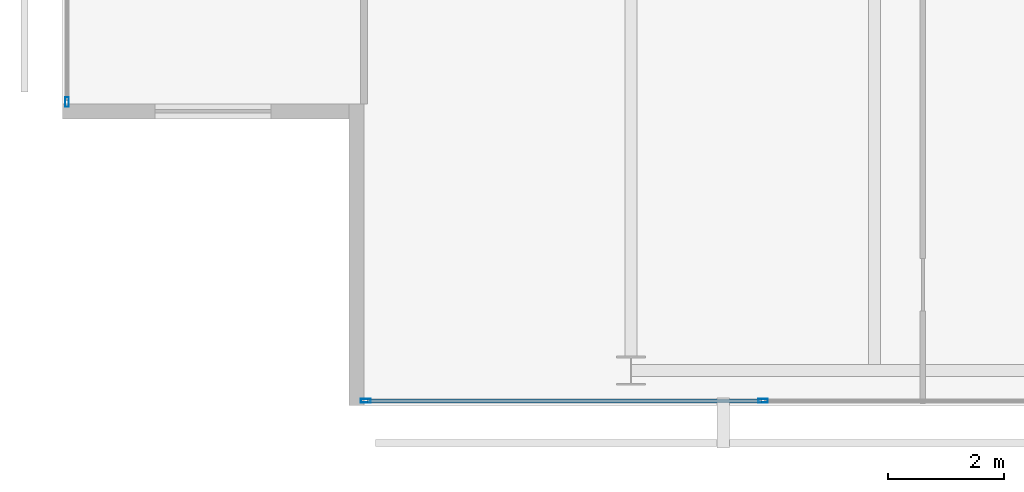
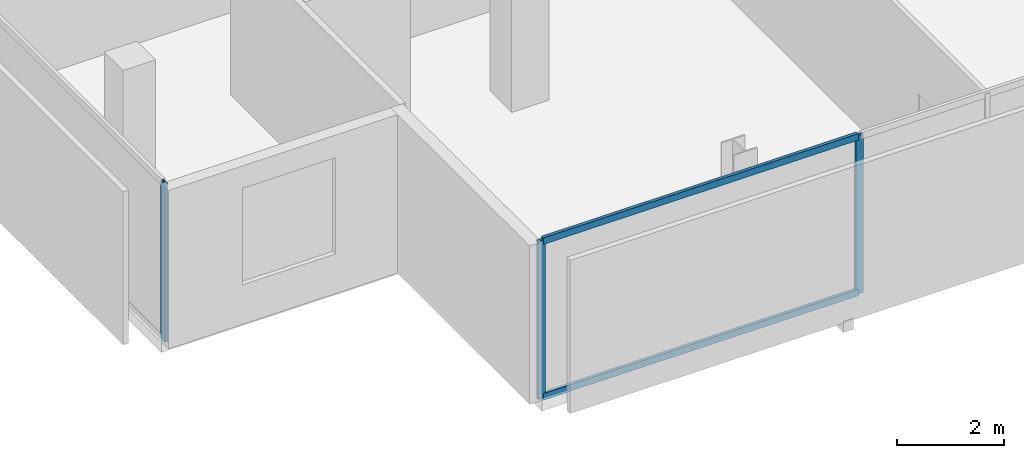
# One storey, part 2 of 25: 5 members, 2 elements without a shape of their own.
"""IFC4 building model written with IfcOpenShell, lengths in metres."""

from ifc_helpers import new_model, si_unit, direction, frame, origin, origin_2d, place, context, subcontext, project, spatial, hollow_rectangle, extrude, material, layer, layer_set, material_profile, profile_set, type_object, element, aggregate, save


model = new_model("IFC4")

# Units and contexts
model_context = context("Model", 3, precision=1e-05, world=origin(), true_north=direction((0.0, 1.0)))
body_context = subcontext(model_context, "Body", "Model", "MODEL_VIEW")
ifc_project = project(units=[si_unit("LENGTHUNIT", "METRE"), si_unit("AREAUNIT", "SQUARE_METRE"), si_unit("VOLUMEUNIT", "CUBIC_METRE"), si_unit("PLANEANGLEUNIT", "RADIAN"), si_unit("MASSUNIT", "GRAM", prefix="KILO")], contexts=[model_context])

# Site, building, storey
site_placement = place(None, origin())
site = spatial("IfcSite", under=ifc_project, at=site_placement, CompositionType="ELEMENT")
building_placement = place(site_placement, origin())
building = spatial("IfcBuilding", under=site, at=building_placement, Name="Maruvema Waterfront Hotel and Observation Tower", CompositionType="ELEMENT")
storey_placement = place(building_placement, frame((0.0, 0.0, 274.050048828125)))
storey = spatial("IfcBuildingStorey", under=building, at=storey_placement, Name="L67", CompositionType="ELEMENT", Elevation=274.050048828125)

# Curtain wall, members
ifc_material_1 = material(Name="Anodised bronze aluminium and solar-control low-E IGU", Category="aluminium")
ifc_layer = layer(ifc_material_1, 0.159912109375, Name="Zone 3 Champagne Inner Thermal Curtain Wall System CW-04")
ifc_layer_set = layer_set([ifc_layer], Name="Anodised bronze aluminium and solar-control low-E IGU")
curtain_wall_type = type_object("IfcCurtainWallType", Name="Zone 3 Champagne Inner Thermal Curtain Wall System CW-04", PredefinedType="USERDEFINED", material=ifc_layer_set)
curtain_wall_1_placement = place(storey_placement, origin())
curtain_wall_1 = element("IfcCurtainWall", 1, at=curtain_wall_1_placement, inside=storey, type_object=curtain_wall_type, Name="L67 Curtain Wall CW-L67-S", ObjectType="UNITISED CURTAIN WALL", PredefinedType="USERDEFINED")
ifc_material_2 = material(Name="Anodised architectural bronze aluminium", Category="aluminium")
ifc_material_profile_1 = material_profile(ifc_material_2, hollow_rectangle(XDim=0.070068359375, YDim=0.14990234375, WallThickness=0.00390625, at=origin_2d()), Name="ALU-T70x150")
ifc_profile_set_1 = profile_set([ifc_material_profile_1], Name="Anodised architectural bronze aluminium")
member_type_1 = type_object("IfcMemberType", Name="Curtain Wall Horizontal Transom ALU-T70x150", PredefinedType="USERDEFINED", material=ifc_profile_set_1)
member_1_placement = place(storey_placement, frame((20.659912109375, 9.280029296875, 0.030029296875), z_axis=(1.0, 0.0, 0.0), x_axis=(0.0, 1.0, 0.0)))
member_1 = element("IfcMember", 2, at=member_1_placement, type_object=member_type_1, Name="CW-04 transom 1.1", ObjectType="TRANSOM", PredefinedType="USERDEFINED", context=body_context, shape_type="SweptSolid", body=[
    extrude(hollow_rectangle(XDim=0.070068359375, YDim=0.14990234375, WallThickness=0.00390625, at=origin_2d()), origin(), (0.0, 0.0, 1.0), 6.7900390625),
])
member_2_placement = place(storey_placement, frame((20.659912109375, 9.280029296875, 3.579833984375), z_axis=(1.0, 0.0, 0.0), x_axis=(0.0, 1.0, 0.0)))
member_2 = element("IfcMember", 3, at=member_2_placement, type_object=member_type_1, Name="CW-04 transom 1.2", ObjectType="TRANSOM", PredefinedType="USERDEFINED", context=body_context, shape_type="SweptSolid", body=[
    extrude(hollow_rectangle(XDim=0.070068359375, YDim=0.14990234375, WallThickness=0.00390625, at=origin_2d()), origin(), (0.0, 0.0, 1.0), 6.7900390625),
])
ifc_material_3 = material(Name="Anodised architectural bronze aluminium", Category="aluminium")
ifc_material_profile_2 = material_profile(ifc_material_3, hollow_rectangle(XDim=0.06494140625, YDim=0.1650390625, WallThickness=0.00390625, at=origin_2d()), Name="ALU-M65x165")
ifc_profile_set_2 = profile_set([ifc_material_profile_2], Name="Anodised architectural bronze aluminium")
member_type_2 = type_object("IfcMemberType", Name="Curtain Wall Primary Mullion ALU-M65x165", PredefinedType="MULLION", material=ifc_profile_set_2)
member_3_placement = place(storey_placement, frame((20.6298828125, 9.280029296875, 0.0), z_axis=(0.0, 0.0, 1.0), x_axis=(0.0, 1.0, 0.0)))
member_3 = element("IfcMember", 4, at=member_3_placement, type_object=member_type_2, Name="CW-04 mullion 1", PredefinedType="MULLION", context=body_context, shape_type="SweptSolid", body=[
    extrude(hollow_rectangle(XDim=0.06494140625, YDim=0.1650390625, WallThickness=0.00390625, at=origin_2d()), origin(), (0.0, 0.0, 1.0), 3.60986328125),
])
member_4_placement = place(storey_placement, frame((27.47998046875, 9.280029296875, 0.0), z_axis=(0.0, 0.0, 1.0), x_axis=(0.0, 1.0, 0.0)))
member_4 = element("IfcMember", 5, at=member_4_placement, type_object=member_type_2, Name="CW-04 mullion 2", PredefinedType="MULLION", context=body_context, shape_type="SweptSolid", body=[
    extrude(hollow_rectangle(XDim=0.06494140625, YDim=0.1650390625, WallThickness=0.00390625, at=origin_2d()), origin(), (0.0, 0.0, 1.0), 3.60986328125),
])
aggregate(curtain_wall_1, [member_3, member_4, member_1, member_2])

# Curtain wall, member
curtain_wall_2_placement = place(storey_placement, origin())
curtain_wall_2 = element("IfcCurtainWall", 6, at=curtain_wall_2_placement, inside=storey, type_object=curtain_wall_type, Name="L67 Curtain Wall CW-L67-W", ObjectType="UNITISED CURTAIN WALL", PredefinedType="USERDEFINED")
member_5_placement = place(storey_placement, frame((15.47998046875, 14.429931640625, 0.0), z_axis=(0.0, 0.0, 1.0), x_axis=(1.0, 0.0, 0.0)))
member_5 = element("IfcMember", 7, at=member_5_placement, type_object=member_type_2, Name="CW-04 mullion 6", PredefinedType="MULLION", context=body_context, shape_type="SweptSolid", body=[
    extrude(hollow_rectangle(XDim=0.06494140625, YDim=0.1650390625, WallThickness=0.00390625, at=origin_2d()), origin(), (0.0, 0.0, 1.0), 3.60986328125),
])
aggregate(curtain_wall_2, [member_5])

save(model, "model.ifc")
